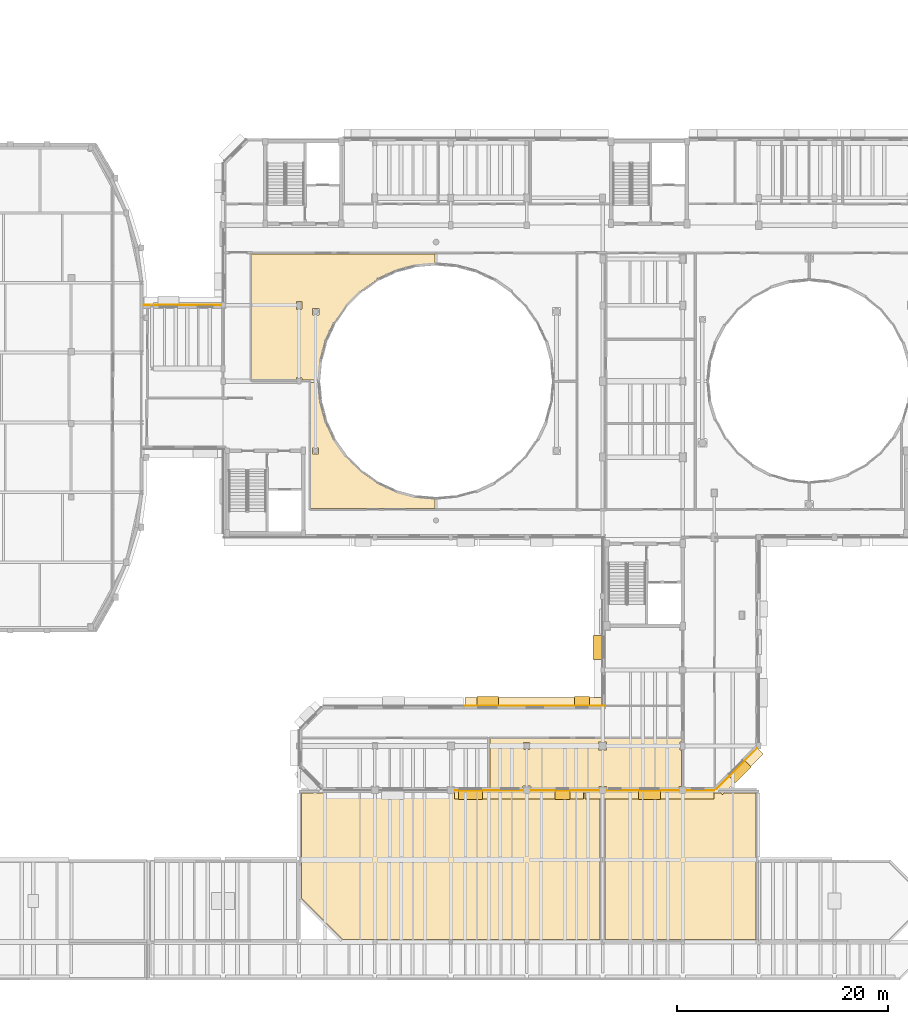
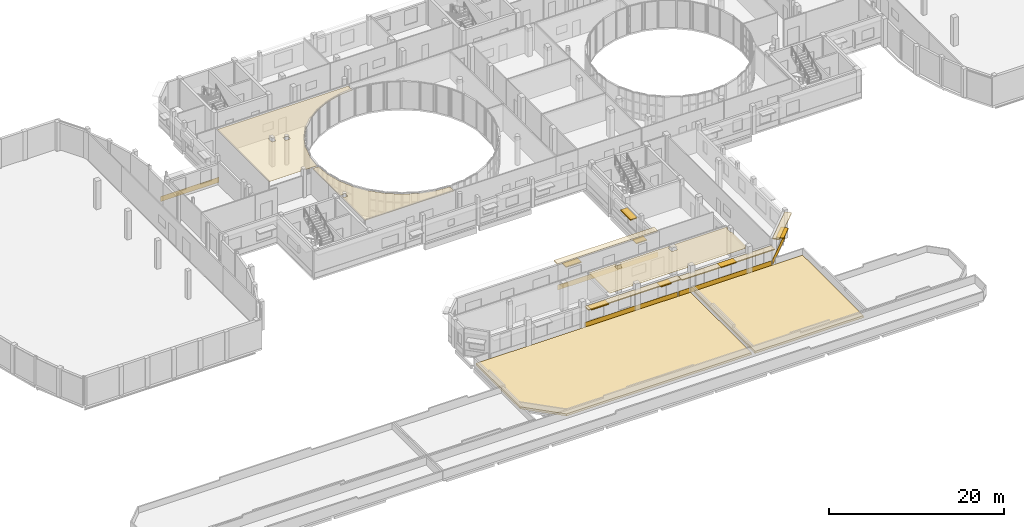
# One storey, part 92 of 105: 14 coverings, 7 shading devices.
"""IFC4 building model written with IfcOpenShell, lengths in metres."""

from ifc_helpers import new_model, si_unit, direction, frame, origin, origin_2d, place, context, subcontext, project, spatial, polyline, rectangle, outline, extrude, material, layer, layer_set, type_object, element, save


model = new_model("IFC4")

# Units and contexts
model_context = context("Model", 3, precision=1e-05, world=origin(), true_north=direction((0.0, 1.0)))
body_context = subcontext(model_context, "Body", "Model", "MODEL_VIEW")
ifc_project = project(units=[si_unit("LENGTHUNIT", "METRE"), si_unit("AREAUNIT", "SQUARE_METRE"), si_unit("VOLUMEUNIT", "CUBIC_METRE"), si_unit("PLANEANGLEUNIT", "RADIAN"), si_unit("MASSUNIT", "GRAM", prefix="KILO")], contexts=[model_context])

# Site, building, storey
site_placement = place(None, origin())
site = spatial("IfcSite", under=ifc_project, at=site_placement, CompositionType="ELEMENT")
building_placement = place(site_placement, origin())
building = spatial("IfcBuilding", under=site, at=building_placement, Name="Kelanivale Promenade Academy", CompositionType="ELEMENT")
storey_placement = place(building_placement, frame((0.0, 0.0, 4.199951171875)))
storey = spatial("IfcBuildingStorey", under=building, at=storey_placement, Name="L01", CompositionType="ELEMENT", Elevation=4.199951171875)

# Coverings
ifc_material_1 = material(Name="Warm ivory Art Deco stucco frieze band 40 mm", Category="masonry")
ifc_layer_1 = layer(ifc_material_1, 0.0400390625)
ifc_layer_set_1 = layer_set([ifc_layer_1], Name="Warm ivory Art Deco stucco frieze band 40 mm")
covering_type_1 = type_object("IfcCoveringType", Name="COV-CLD2 Warm ivory Art Deco stucco frieze ba", PredefinedType="CLADDING", material=ifc_layer_set_1)
covering_1_placement = place(storey_placement, frame((71.248046875, 17.60009765625, 2.89990234375), z_axis=(0.0, 0.0, 1.0), x_axis=(1.0, 0.0, 0.0)))
element("IfcCovering", 1, at=covering_1_placement, inside=storey, type_object=covering_type_1, Name="Art Deco projecting 820 mm streamline sunshade eyebrow ledge", PredefinedType="CLADDING", context=body_context, shape_type="SweptSolid", body=[
    extrude(rectangle(XDim=12.243896484375, YDim=0.820068359375, at=origin_2d()), origin(), (0.0, 0.0, 1.0), 0.139892578125),
])
covering_2_placement = place(storey_placement, frame((71.248046875, 17.985107421875, 0.06005859375), z_axis=(0.0, 0.0, 1.0), x_axis=(1.0, 0.0, 0.0)))
element("IfcCovering", 2, at=covering_2_placement, inside=storey, type_object=covering_type_1, Name="Art Deco ivory stucco sill frieze band", PredefinedType="CLADDING", context=body_context, shape_type="SweptSolid", body=[
    extrude(rectangle(XDim=12.243896484375, YDim=0.0400390625, at=origin_2d()), origin(), (0.0, 0.0, 1.0), 0.719970703125),
])
covering_3_placement = place(storey_placement, frame((83.652099609375, 17.60009765625, 2.75), z_axis=(0.0, 0.0, 1.0), x_axis=(1.0, 0.0, 0.0)))
element("IfcCovering", 3, at=covering_3_placement, inside=storey, type_object=covering_type_1, Name="Art Deco projecting 820 mm streamline sunshade eyebrow ledge", PredefinedType="CLADDING", context=body_context, shape_type="SweptSolid", body=[
    extrude(rectangle(XDim=12.243896484375, YDim=0.820068359375, at=origin_2d()), origin(), (0.0, 0.0, 1.0), 0.139892578125),
])
covering_4_placement = place(storey_placement, frame((83.652099609375, 17.985107421875, 0.06005859375), z_axis=(0.0, 0.0, 1.0), x_axis=(1.0, 0.0, 0.0)))
element("IfcCovering", 4, at=covering_4_placement, inside=storey, type_object=covering_type_1, Name="Art Deco ivory stucco sill frieze band", PredefinedType="CLADDING", context=body_context, shape_type="SweptSolid", body=[
    extrude(rectangle(XDim=12.243896484375, YDim=0.0400390625, at=origin_2d()), origin(), (0.0, 0.0, 1.0), 0.719970703125),
])
covering_5_placement = place(storey_placement, frame((92.2109375, 19.7890625, 3.6201171875), z_axis=(0.0, 0.0, 1.0), x_axis=(0.707106781187, 0.707106781187, 0.0)))
element("IfcCovering", 5, at=covering_5_placement, inside=storey, type_object=covering_type_1, Name="Art Deco projecting 820 mm streamline sunshade eyebrow ledge", PredefinedType="CLADDING", context=body_context, shape_type="SweptSolid", body=[
    extrude(rectangle(XDim=5.4599609375, YDim=0.820068359375, at=origin_2d()), origin(), (0.0, 0.0, 1.0), 0.139892578125),
])
covering_6_placement = place(storey_placement, frame((91.93896484375, 20.06103515625, 0.06005859375), z_axis=(0.0, 0.0, 1.0), x_axis=(0.707106781187, 0.707106781187, 0.0)))
element("IfcCovering", 6, at=covering_6_placement, inside=storey, type_object=covering_type_1, Name="Art Deco ivory stucco sill frieze band", PredefinedType="CLADDING", context=body_context, shape_type="SweptSolid", body=[
    extrude(rectangle(XDim=5.4599609375, YDim=0.0400390625, at=origin_2d()), origin(), (0.0, 0.0, 1.0), 0.719970703125),
])
covering_7_placement = place(storey_placement, frame((39.5400390625, 64.014892578125, 0.06005859375), z_axis=(0.0, 0.0, 1.0), x_axis=(-1.0, 0.0, 0.0)))
element("IfcCovering", 7, at=covering_7_placement, inside=storey, type_object=covering_type_1, Name="Art Deco ivory stucco sill frieze band", PredefinedType="CLADDING", context=body_context, shape_type="SweptSolid", body=[
    extrude(rectangle(XDim=7.719970703125, YDim=0.0400390625, at=origin_2d()), origin(), (0.0, 0.0, 1.0), 0.719970703125),
])
covering_8_placement = place(storey_placement, frame((72.77001953125, 26.39990234375, 3.6201171875), z_axis=(0.0, 0.0, 1.0), x_axis=(-1.0, 0.0, 0.0)))
element("IfcCovering", 8, at=covering_8_placement, inside=storey, type_object=covering_type_1, Name="Art Deco projecting 820 mm streamline sunshade eyebrow ledge", PredefinedType="CLADDING", context=body_context, shape_type="SweptSolid", body=[
    extrude(rectangle(XDim=13.259033203125, YDim=0.820068359375, at=origin_2d()), origin(), (0.0, 0.0, 1.0), 0.139892578125),
])
covering_9_placement = place(storey_placement, frame((72.77001953125, 26.014892578125, 0.06005859375), z_axis=(0.0, 0.0, 1.0), x_axis=(-1.0, 0.0, 0.0)))
element("IfcCovering", 9, at=covering_9_placement, inside=storey, type_object=covering_type_1, Name="Art Deco ivory stucco sill frieze band", PredefinedType="CLADDING", context=body_context, shape_type="SweptSolid", body=[
    extrude(rectangle(XDim=13.259033203125, YDim=0.0400390625, at=origin_2d()), origin(), (0.0, 0.0, 1.0), 0.719970703125),
])
ifc_material_2 = material(Name="Acoustic mineral-fibre ceiling tile 25 mm", Category="gypsum")
ifc_layer_2 = layer(ifc_material_2, 0.02490234375)
ifc_layer_set_2 = layer_set([ifc_layer_2], Name="Acoustic mineral-fibre ceiling tile 25 mm")
covering_type_2 = type_object("IfcCoveringType", Name="COV-CLG1 Acoustic mineral-fibre ceiling tile ", PredefinedType="CEILING", material=ifc_layer_set_2)
covering_10_placement = place(storey_placement, frame((0.0, 0.0, 3.550048828125)))
element("IfcCovering", 10, at=covering_10_placement, inside=storey, type_object=covering_type_2, Name="Sixth Form Refectory acoustic suspended ceiling", PredefinedType="CEILING", context=body_context, shape_type="SweptSolid", body=[
    extrude(outline(polyline([(68.510009765625, 18.14990234375), (71.614990234375, 18.14990234375), (71.614990234375, 18.344970703125), (71.614990234375, 18.34912109375), (71.615966796875, 18.35302734375), (71.616943359375, 18.35693359375), (71.617919921875, 18.360107421875), (71.6201171875, 18.364013671875), (71.6220703125, 18.366943359375), (71.6240234375, 18.3701171875), (71.626953125, 18.373046875), (71.6298828125, 18.3759765625), (71.633056640625, 18.3779296875), (71.635986328125, 18.3798828125), (71.639892578125, 18.382080078125), (71.64306640625, 18.383056640625), (71.64697265625, 18.384033203125), (71.65087890625, 18.385009765625), (71.655029296875, 18.385009765625), (72.344970703125, 18.385009765625), (72.34912109375, 18.385009765625), (72.35302734375, 18.384033203125), (72.35693359375, 18.383056640625), (72.360107421875, 18.382080078125), (72.364013671875, 18.3798828125), (72.366943359375, 18.3779296875), (72.3701171875, 18.3759765625), (72.373046875, 18.373046875), (72.3759765625, 18.3701171875), (72.3779296875, 18.366943359375), (72.3798828125, 18.364013671875), (72.382080078125, 18.360107421875), (72.383056640625, 18.35693359375), (72.384033203125, 18.35302734375), (72.385009765625, 18.34912109375), (72.385009765625, 18.344970703125), (72.385009765625, 18.14990234375), (78.840087890625, 18.14990234375), (78.840087890625, 18.320068359375), (78.840087890625, 18.323974609375), (78.841064453125, 18.327880859375), (78.842041015625, 18.33203125), (78.843017578125, 18.3349609375), (78.844970703125, 18.339111328125), (78.846923828125, 18.342041015625), (78.84912109375, 18.344970703125), (78.85205078125, 18.347900390625), (78.85498046875, 18.35107421875), (78.85791015625, 18.35302734375), (78.861083984375, 18.35498046875), (78.864990234375, 18.35693359375), (78.867919921875, 18.35791015625), (78.8720703125, 18.35888671875), (78.8759765625, 18.360107421875), (78.8798828125, 18.360107421875), (79.52001953125, 18.360107421875), (79.52392578125, 18.360107421875), (79.528076171875, 18.35888671875), (79.531982421875, 18.35791015625), (79.534912109375, 18.35693359375), (79.5390625, 18.35498046875), (79.5419921875, 18.35302734375), (79.544921875, 18.35107421875), (79.548095703125, 18.347900390625), (79.551025390625, 18.344970703125), (79.552978515625, 18.342041015625), (79.554931640625, 18.339111328125), (79.556884765625, 18.3349609375), (79.55810546875, 18.33203125), (79.55908203125, 18.327880859375), (79.56005859375, 18.323974609375), (79.56005859375, 18.320068359375), (79.56005859375, 18.14990234375), (86.43994140625, 18.14990234375), (86.43994140625, 18.320068359375), (86.43994140625, 18.323974609375), (86.44091796875, 18.327880859375), (86.44189453125, 18.33203125), (86.443115234375, 18.3349609375), (86.445068359375, 18.339111328125), (86.447021484375, 18.342041015625), (86.448974609375, 18.344970703125), (86.451904296875, 18.347900390625), (86.455078125, 18.35107421875), (86.4580078125, 18.35302734375), (86.4609375, 18.35498046875), (86.465087890625, 18.35693359375), (86.468017578125, 18.35791015625), (86.471923828125, 18.35888671875), (86.47607421875, 18.360107421875), (86.47998046875, 18.360107421875), (86.68994140625, 18.360107421875), (86.68994140625, 21.81494140625), (86.580078125, 21.81494140625), (86.575927734375, 21.81494140625), (86.572021484375, 21.81591796875), (86.568115234375, 21.81689453125), (86.56494140625, 21.818115234375), (86.56103515625, 21.820068359375), (86.55810546875, 21.822021484375), (86.554931640625, 21.823974609375), (86.552001953125, 21.826904296875), (86.549072265625, 21.830078125), (86.547119140625, 21.8330078125), (86.544921875, 21.8359375), (86.54296875, 21.840087890625), (86.5419921875, 21.843017578125), (86.541015625, 21.846923828125), (86.5400390625, 21.85107421875), (86.5400390625, 21.85498046875), (86.5400390625, 22.544921875), (86.5400390625, 22.549072265625), (86.541015625, 22.552978515625), (86.5419921875, 22.556884765625), (86.54296875, 22.56005859375), (86.544921875, 22.56396484375), (86.547119140625, 22.56689453125), (86.549072265625, 22.570068359375), (86.552001953125, 22.572998046875), (86.554931640625, 22.575927734375), (86.55810546875, 22.577880859375), (86.56103515625, 22.580078125), (86.56494140625, 22.58203125), (86.568115234375, 22.5830078125), (86.572021484375, 22.583984375), (86.575927734375, 22.5849609375), (86.580078125, 22.5849609375), (86.68994140625, 22.5849609375), (86.68994140625, 22.889892578125), (68.510009765625, 22.889892578125), (68.510009765625, 18.14990234375)]), holes=[polyline([(79.5849609375, 21.85498046875), (79.5849609375, 21.85107421875), (79.583984375, 21.846923828125), (79.5830078125, 21.843017578125), (79.58203125, 21.840087890625), (79.580078125, 21.8359375), (79.577880859375, 21.8330078125), (79.575927734375, 21.830078125), (79.572998046875, 21.826904296875), (79.570068359375, 21.823974609375), (79.56689453125, 21.822021484375), (79.56396484375, 21.820068359375), (79.56005859375, 21.818115234375), (79.556884765625, 21.81689453125), (79.552978515625, 21.81591796875), (79.549072265625, 21.81494140625), (79.544921875, 21.81494140625), (78.85498046875, 21.81494140625), (78.85107421875, 21.81494140625), (78.846923828125, 21.81591796875), (78.843017578125, 21.81689453125), (78.840087890625, 21.818115234375), (78.8359375, 21.820068359375), (78.8330078125, 21.822021484375), (78.830078125, 21.823974609375), (78.826904296875, 21.826904296875), (78.823974609375, 21.830078125), (78.822021484375, 21.8330078125), (78.820068359375, 21.8359375), (78.818115234375, 21.840087890625), (78.81689453125, 21.843017578125), (78.81591796875, 21.846923828125), (78.81494140625, 21.85107421875), (78.81494140625, 21.85498046875), (78.81494140625, 22.544921875), (78.81494140625, 22.549072265625), (78.81591796875, 22.552978515625), (78.81689453125, 22.556884765625), (78.818115234375, 22.56005859375), (78.820068359375, 22.56396484375), (78.822021484375, 22.56689453125), (78.823974609375, 22.570068359375), (78.826904296875, 22.572998046875), (78.830078125, 22.575927734375), (78.8330078125, 22.577880859375), (78.8359375, 22.580078125), (78.840087890625, 22.58203125), (78.843017578125, 22.5830078125), (78.846923828125, 22.583984375), (78.85107421875, 22.5849609375), (78.85498046875, 22.5849609375), (79.544921875, 22.5849609375), (79.549072265625, 22.5849609375), (79.552978515625, 22.583984375), (79.556884765625, 22.5830078125), (79.56005859375, 22.58203125), (79.56396484375, 22.580078125), (79.56689453125, 22.577880859375), (79.570068359375, 22.575927734375), (79.572998046875, 22.572998046875), (79.575927734375, 22.570068359375), (79.577880859375, 22.56689453125), (79.580078125, 22.56396484375), (79.58203125, 22.56005859375), (79.5830078125, 22.556884765625), (79.583984375, 22.552978515625), (79.5849609375, 22.549072265625), (79.5849609375, 22.544921875), (79.5849609375, 21.85498046875)]), polyline([(72.31005859375, 21.929931640625), (72.31005859375, 21.926025390625), (72.30908203125, 21.922119140625), (72.30810546875, 21.91796875), (72.306884765625, 21.9150390625), (72.304931640625, 21.910888671875), (72.302978515625, 21.907958984375), (72.301025390625, 21.905029296875), (72.298095703125, 21.902099609375), (72.294921875, 21.89892578125), (72.2919921875, 21.89697265625), (72.2890625, 21.89501953125), (72.284912109375, 21.89306640625), (72.281982421875, 21.89208984375), (72.278076171875, 21.89111328125), (72.27392578125, 21.889892578125), (72.27001953125, 21.889892578125), (71.72998046875, 21.889892578125), (71.72607421875, 21.889892578125), (71.721923828125, 21.89111328125), (71.718017578125, 21.89208984375), (71.715087890625, 21.89306640625), (71.7109375, 21.89501953125), (71.7080078125, 21.89697265625), (71.705078125, 21.89892578125), (71.701904296875, 21.902099609375), (71.698974609375, 21.905029296875), (71.697021484375, 21.907958984375), (71.695068359375, 21.910888671875), (71.693115234375, 21.9150390625), (71.69189453125, 21.91796875), (71.69091796875, 21.922119140625), (71.68994140625, 21.926025390625), (71.68994140625, 21.929931640625), (71.68994140625, 22.469970703125), (71.68994140625, 22.47412109375), (71.69091796875, 22.47802734375), (71.69189453125, 22.48193359375), (71.693115234375, 22.485107421875), (71.695068359375, 22.489013671875), (71.697021484375, 22.491943359375), (71.698974609375, 22.4951171875), (71.701904296875, 22.498046875), (71.705078125, 22.5009765625), (71.7080078125, 22.5029296875), (71.7109375, 22.5048828125), (71.715087890625, 22.507080078125), (71.718017578125, 22.508056640625), (71.721923828125, 22.509033203125), (71.72607421875, 22.510009765625), (71.72998046875, 22.510009765625), (72.27001953125, 22.510009765625), (72.27392578125, 22.510009765625), (72.278076171875, 22.509033203125), (72.281982421875, 22.508056640625), (72.284912109375, 22.507080078125), (72.2890625, 22.5048828125), (72.2919921875, 22.5029296875), (72.294921875, 22.5009765625), (72.298095703125, 22.498046875), (72.301025390625, 22.4951171875), (72.302978515625, 22.491943359375), (72.304931640625, 22.489013671875), (72.306884765625, 22.485107421875), (72.30810546875, 22.48193359375), (72.30908203125, 22.47802734375), (72.31005859375, 22.47412109375), (72.31005859375, 22.469970703125), (72.31005859375, 21.929931640625)])]), origin(), (0.0, 0.0, 1.0), 0.02490234375),
])
covering_11_placement = place(storey_placement, frame((0.0, 0.0, 3.550048828125)))
element("IfcCovering", 11, at=covering_11_placement, inside=storey, type_object=covering_type_2, Name="Junior Classroom West A acoustic suspended ceiling", PredefinedType="CEILING", context=body_context, shape_type="SweptSolid", body=[
    extrude(outline(polyline([(56.24609375, 48.248046875), (56.239013671875, 48.25390625), (56.23095703125, 48.260986328125), (56.222900390625, 48.26806640625), (56.218994140625, 48.27099609375), (54.87109375, 49.618896484375), (54.867919921875, 49.623046875), (54.861083984375, 49.631103515625), (54.85400390625, 49.638916015625), (54.847900390625, 49.64599609375), (53.7529296875, 51.2099609375), (53.7490234375, 51.217041015625), (53.739013671875, 51.235107421875), (53.737060546875, 51.239990234375), (52.928955078125, 52.969970703125), (52.927001953125, 52.97412109375), (52.923095703125, 52.98388671875), (52.919921875, 52.990966796875), (52.9169921875, 53.0009765625), (52.9169921875, 53.0029296875), (52.424072265625, 54.845947265625), (52.4208984375, 54.85498046875), (52.419921875, 54.862060546875), (52.41796875, 54.8701171875), (52.4169921875, 54.8798828125), (52.4169921875, 54.881103515625), (52.259033203125, 56.68994140625), (51.510009765625, 56.68994140625), (51.510009765625, 44.7099609375), (63.2900390625, 44.7099609375), (63.2900390625, 45.658935546875), (61.48095703125, 45.81689453125), (61.47998046875, 45.81689453125), (61.469970703125, 45.818115234375), (61.4619140625, 45.820068359375), (61.455078125, 45.821044921875), (61.446044921875, 45.823974609375), (59.60302734375, 46.31689453125), (59.60107421875, 46.31689453125), (59.591064453125, 46.320068359375), (59.583984375, 46.322998046875), (59.573974609375, 46.326904296875), (59.570068359375, 46.3291015625), (57.840087890625, 47.136962890625), (57.8349609375, 47.138916015625), (57.825927734375, 47.14404296875), (57.81689453125, 47.14892578125), (57.81005859375, 47.153076171875), (56.24609375, 48.248046875)]), holes=[polyline([(52.2529296875, 49.955078125), (52.2529296875, 49.950927734375), (52.251953125, 49.947021484375), (52.2509765625, 49.943115234375), (52.25, 49.93994140625), (52.248046875, 49.93603515625), (52.24609375, 49.93310546875), (52.243896484375, 49.929931640625), (52.240966796875, 49.927001953125), (52.238037109375, 49.924072265625), (52.235107421875, 49.922119140625), (52.23193359375, 49.919921875), (52.22802734375, 49.91796875), (52.22509765625, 49.9169921875), (52.220947265625, 49.916015625), (52.217041015625, 49.9150390625), (52.212890625, 49.9150390625), (51.722900390625, 49.9150390625), (51.718994140625, 49.9150390625), (51.715087890625, 49.916015625), (51.7109375, 49.9169921875), (51.7080078125, 49.91796875), (51.7041015625, 49.919921875), (51.700927734375, 49.922119140625), (51.697998046875, 49.924072265625), (51.695068359375, 49.927001953125), (51.69189453125, 49.929931640625), (51.68994140625, 49.93310546875), (51.68798828125, 49.93603515625), (51.68603515625, 49.93994140625), (51.68505859375, 49.943115234375), (51.68408203125, 49.947021484375), (51.68310546875, 49.950927734375), (51.68310546875, 49.955078125), (51.68310546875, 50.445068359375), (51.68310546875, 50.448974609375), (51.68408203125, 50.452880859375), (51.68505859375, 50.45703125), (51.68603515625, 50.4599609375), (51.68798828125, 50.464111328125), (51.68994140625, 50.467041015625), (51.69189453125, 50.469970703125), (51.695068359375, 50.472900390625), (51.697998046875, 50.47607421875), (51.700927734375, 50.47802734375), (51.7041015625, 50.47998046875), (51.7080078125, 50.48193359375), (51.7109375, 50.48291015625), (51.715087890625, 50.48388671875), (51.718994140625, 50.485107421875), (51.722900390625, 50.485107421875), (52.212890625, 50.485107421875), (52.217041015625, 50.485107421875), (52.220947265625, 50.48388671875), (52.22509765625, 50.48291015625), (52.22802734375, 50.48193359375), (52.23193359375, 50.47998046875), (52.235107421875, 50.47802734375), (52.238037109375, 50.47607421875), (52.240966796875, 50.472900390625), (52.243896484375, 50.469970703125), (52.24609375, 50.467041015625), (52.248046875, 50.464111328125), (52.25, 50.4599609375), (52.2509765625, 50.45703125), (52.251953125, 50.452880859375), (52.2529296875, 50.448974609375), (52.2529296875, 50.445068359375), (52.2529296875, 49.955078125)])]), origin(), (0.0, 0.0, 1.0), 0.02490234375),
])
covering_12_placement = place(storey_placement, frame((0.0, 0.0, 3.550048828125)))
element("IfcCovering", 12, at=covering_12_placement, inside=storey, type_object=covering_type_2, Name="Junior Classroom West B acoustic suspended ceiling", PredefinedType="CEILING", context=body_context, shape_type="SweptSolid", body=[
    extrude(outline(polyline([(53.7490234375, 62.383056640625), (53.7529296875, 62.389892578125), (54.847900390625, 63.9541015625), (54.85400390625, 63.9609375), (54.861083984375, 63.968994140625), (54.867919921875, 63.97705078125), (54.87109375, 63.98095703125), (56.218994140625, 65.3291015625), (56.222900390625, 65.33203125), (56.23095703125, 65.339111328125), (56.239013671875, 65.345947265625), (56.24609375, 65.35205078125), (57.81005859375, 66.447021484375), (57.81689453125, 66.450927734375), (57.825927734375, 66.4560546875), (57.8349609375, 66.4609375), (57.840087890625, 66.462890625), (59.570068359375, 67.27099609375), (59.573974609375, 67.27294921875), (59.583984375, 67.277099609375), (59.591064453125, 67.280029296875), (59.60107421875, 67.282958984375), (59.60302734375, 67.282958984375), (61.446044921875, 67.77587890625), (61.455078125, 67.779052734375), (61.4619140625, 67.780029296875), (61.469970703125, 67.781982421875), (61.47998046875, 67.782958984375), (61.48095703125, 67.782958984375), (63.2900390625, 67.94091796875), (63.2900390625, 68.889892578125), (45.909912109375, 68.889892578125), (45.909912109375, 56.909912109375), (50.139892578125, 56.909912109375), (50.139892578125, 57.094970703125), (50.139892578125, 57.09912109375), (50.14111328125, 57.10302734375), (50.14208984375, 57.10693359375), (50.14306640625, 57.110107421875), (50.14501953125, 57.114013671875), (50.14697265625, 57.116943359375), (50.14892578125, 57.1201171875), (50.152099609375, 57.123046875), (50.155029296875, 57.1259765625), (50.157958984375, 57.1279296875), (50.160888671875, 57.1298828125), (50.1650390625, 57.132080078125), (50.16796875, 57.133056640625), (50.172119140625, 57.134033203125), (50.176025390625, 57.135009765625), (50.179931640625, 57.135009765625), (50.6201171875, 57.135009765625), (50.6240234375, 57.135009765625), (50.6279296875, 57.134033203125), (50.632080078125, 57.133056640625), (50.635009765625, 57.132080078125), (50.638916015625, 57.1298828125), (50.64208984375, 57.1279296875), (50.64501953125, 57.1259765625), (50.64794921875, 57.123046875), (50.65087890625, 57.1201171875), (50.653076171875, 57.116943359375), (50.655029296875, 57.114013671875), (50.656982421875, 57.110107421875), (50.657958984375, 57.10693359375), (50.658935546875, 57.10302734375), (50.659912109375, 57.09912109375), (50.659912109375, 57.094970703125), (50.659912109375, 56.909912109375), (52.259033203125, 56.909912109375), (52.4169921875, 58.718994140625), (52.4169921875, 58.719970703125), (52.41796875, 58.72998046875), (52.419921875, 58.738037109375), (52.4208984375, 58.7451171875), (52.424072265625, 58.75390625), (52.9169921875, 60.596923828125), (52.9169921875, 60.59912109375), (52.919921875, 60.60888671875), (52.923095703125, 60.615966796875), (52.927001953125, 60.6259765625), (52.928955078125, 60.6298828125), (53.737060546875, 62.360107421875), (53.739013671875, 62.364990234375), (53.7490234375, 62.383056640625)]), holes=[polyline([(52.278076171875, 63.1298828125), (52.278076171875, 63.1259765625), (52.277099609375, 63.1220703125), (52.27587890625, 63.117919921875), (52.27490234375, 63.114990234375), (52.27294921875, 63.111083984375), (52.27099609375, 63.10791015625), (52.26904296875, 63.10498046875), (52.26611328125, 63.10205078125), (52.262939453125, 63.09912109375), (52.260009765625, 63.096923828125), (52.257080078125, 63.094970703125), (52.2529296875, 63.093017578125), (52.25, 63.092041015625), (52.24609375, 63.091064453125), (52.241943359375, 63.090087890625), (52.238037109375, 63.090087890625), (51.697998046875, 63.090087890625), (51.694091796875, 63.090087890625), (51.68994140625, 63.091064453125), (51.68603515625, 63.092041015625), (51.68310546875, 63.093017578125), (51.678955078125, 63.094970703125), (51.676025390625, 63.096923828125), (51.673095703125, 63.09912109375), (51.669921875, 63.10205078125), (51.6669921875, 63.10498046875), (51.6650390625, 63.10791015625), (51.6630859375, 63.111083984375), (51.660888671875, 63.114990234375), (51.659912109375, 63.117919921875), (51.658935546875, 63.1220703125), (51.657958984375, 63.1259765625), (51.657958984375, 63.1298828125), (51.657958984375, 63.669921875), (51.657958984375, 63.674072265625), (51.658935546875, 63.677978515625), (51.659912109375, 63.681884765625), (51.660888671875, 63.68505859375), (51.6630859375, 63.68896484375), (51.6650390625, 63.69189453125), (51.6669921875, 63.695068359375), (51.669921875, 63.697998046875), (51.673095703125, 63.700927734375), (51.676025390625, 63.702880859375), (51.678955078125, 63.705078125), (51.68310546875, 63.70703125), (51.68603515625, 63.7080078125), (51.68994140625, 63.708984375), (51.694091796875, 63.7099609375), (51.697998046875, 63.7099609375), (52.238037109375, 63.7099609375), (52.241943359375, 63.7099609375), (52.24609375, 63.708984375), (52.25, 63.7080078125), (52.2529296875, 63.70703125), (52.257080078125, 63.705078125), (52.260009765625, 63.702880859375), (52.262939453125, 63.700927734375), (52.26611328125, 63.697998046875), (52.26904296875, 63.695068359375), (52.27099609375, 63.69189453125), (52.27294921875, 63.68896484375), (52.27490234375, 63.68505859375), (52.27587890625, 63.681884765625), (52.277099609375, 63.677978515625), (52.278076171875, 63.674072265625), (52.278076171875, 63.669921875), (52.278076171875, 63.1298828125)]), polyline([(50.659912109375, 63.655029296875), (50.659912109375, 63.65087890625), (50.658935546875, 63.64697265625), (50.657958984375, 63.64306640625), (50.656982421875, 63.639892578125), (50.655029296875, 63.635986328125), (50.653076171875, 63.633056640625), (50.65087890625, 63.6298828125), (50.64794921875, 63.626953125), (50.64501953125, 63.6240234375), (50.64208984375, 63.6220703125), (50.638916015625, 63.6201171875), (50.635009765625, 63.617919921875), (50.632080078125, 63.616943359375), (50.6279296875, 63.615966796875), (50.6240234375, 63.614990234375), (50.6201171875, 63.614990234375), (50.179931640625, 63.614990234375), (50.176025390625, 63.614990234375), (50.172119140625, 63.615966796875), (50.16796875, 63.616943359375), (50.1650390625, 63.617919921875), (50.160888671875, 63.6201171875), (50.157958984375, 63.6220703125), (50.155029296875, 63.6240234375), (50.152099609375, 63.626953125), (50.14892578125, 63.6298828125), (50.14697265625, 63.633056640625), (50.14501953125, 63.635986328125), (50.14306640625, 63.639892578125), (50.14208984375, 63.64306640625), (50.14111328125, 63.64697265625), (50.139892578125, 63.65087890625), (50.139892578125, 63.655029296875), (50.139892578125, 64.344970703125), (50.139892578125, 64.34912109375), (50.14111328125, 64.35302734375), (50.14208984375, 64.35693359375), (50.14306640625, 64.360107421875), (50.14501953125, 64.364013671875), (50.14697265625, 64.366943359375), (50.14892578125, 64.3701171875), (50.152099609375, 64.373046875), (50.155029296875, 64.3759765625), (50.157958984375, 64.3779296875), (50.160888671875, 64.3798828125), (50.1650390625, 64.382080078125), (50.16796875, 64.383056640625), (50.172119140625, 64.384033203125), (50.176025390625, 64.385009765625), (50.179931640625, 64.385009765625), (50.6201171875, 64.385009765625), (50.6240234375, 64.385009765625), (50.6279296875, 64.384033203125), (50.632080078125, 64.383056640625), (50.635009765625, 64.382080078125), (50.638916015625, 64.3798828125), (50.64208984375, 64.3779296875), (50.64501953125, 64.3759765625), (50.64794921875, 64.373046875), (50.65087890625, 64.3701171875), (50.653076171875, 64.366943359375), (50.655029296875, 64.364013671875), (50.656982421875, 64.360107421875), (50.657958984375, 64.35693359375), (50.658935546875, 64.35302734375), (50.659912109375, 64.34912109375), (50.659912109375, 64.344970703125), (50.659912109375, 63.655029296875)])]), origin(), (0.0, 0.0, 1.0), 0.02490234375),
])
ifc_material_3 = material(Name="Extensive tropical planted green-roof substrate 300 mm", Category="masonry")
ifc_layer_3 = layer(ifc_material_3, 0.300048828125)
ifc_layer_set_3 = layer_set([ifc_layer_3], Name="Extensive tropical planted green-roof substrate 300 mm")
covering_type_3 = type_object("IfcCoveringType", Name="COV-RFG2 Extensive tropical planted green-roo", PredefinedType="ROOFING", material=ifc_layer_set_3)
covering_13_placement = place(storey_placement, origin())
element("IfcCovering", 13, at=covering_13_placement, inside=storey, type_object=covering_type_3, Name="L01 planted green-roof substrate", PredefinedType="ROOFING", context=body_context, shape_type="SweptSolid", body=[
    extrude(outline(polyline([(50.639892578125, 7.73095703125), (54.531005859375, 3.840087890625), (78.9599609375, 3.840087890625), (78.9599609375, 17.760009765625), (50.639892578125, 17.760009765625), (50.639892578125, 7.73095703125)])), origin(), (0.0, 0.0, 1.0), 0.300048828125),
])
covering_14_placement = place(storey_placement, origin())
element("IfcCovering", 14, at=covering_14_placement, inside=storey, type_object=covering_type_3, Name="L01 planted green-roof substrate", PredefinedType="ROOFING", context=body_context, shape_type="SweptSolid", body=[
    extrude(outline(polyline([(79.43994140625, 17.760009765625), (79.43994140625, 3.840087890625), (93.760009765625, 3.840087890625), (93.760009765625, 17.760009765625), (79.43994140625, 17.760009765625)])), origin(), (0.0, 0.0, 1.0), 0.300048828125),
])

# Shading devices
ifc_material_4 = material(Name="Precast concrete C40/50", Category="concrete")
ifc_layer_4 = layer(ifc_material_4, 0.1201171875)
ifc_layer_set_4 = layer_set([ifc_layer_4], Name="Precast concrete C40/50")
shading_device_type = type_object("IfcShadingDeviceType", Name="SHD-01 Art Deco Sunshade Eyebrow 900mm", PredefinedType="USERDEFINED", material=ifc_layer_set_4)
shading_device_1_placement = place(storey_placement, frame((66.6630859375, 17.56005859375, 2.860107421875), z_axis=(0.0, 0.0, 1.0), x_axis=(1.0, 0.0, 0.0)))
element("IfcShadingDevice", 15, at=shading_device_1_placement, inside=storey, type_object=shading_device_type, Name="Art Deco 900 mm precast chajja window sunshade", ObjectType="SUNSHADE", PredefinedType="USERDEFINED", context=body_context, shape_type="SweptSolid", body=[
    extrude(rectangle(XDim=2.300048828125, YDim=0.89990234375, at=origin_2d()), origin(), (0.0, 0.0, 1.0), 0.1201171875),
])
shading_device_2_placement = place(storey_placement, frame((75.383056640625, 17.56005859375, 2.860107421875), z_axis=(0.0, 0.0, 1.0), x_axis=(1.0, 0.0, 0.0)))
element("IfcShadingDevice", 16, at=shading_device_2_placement, inside=storey, type_object=shading_device_type, Name="Art Deco 900 mm precast chajja window sunshade", ObjectType="SUNSHADE", PredefinedType="USERDEFINED", context=body_context, shape_type="SweptSolid", body=[
    extrude(rectangle(XDim=1.39990234375, YDim=0.89990234375, at=origin_2d()), origin(), (0.0, 0.0, 1.0), 0.1201171875),
])
shading_device_3_placement = place(storey_placement, frame((83.652099609375, 17.56005859375, 2.780029296875), z_axis=(0.0, 0.0, 1.0), x_axis=(1.0, 0.0, 0.0)))
element("IfcShadingDevice", 17, at=shading_device_3_placement, inside=storey, type_object=shading_device_type, Name="Art Deco 900 mm precast chajja window sunshade", ObjectType="SUNSHADE", PredefinedType="USERDEFINED", context=body_context, shape_type="SweptSolid", body=[
    extrude(rectangle(XDim=2.050048828125, YDim=0.89990234375, at=origin_2d()), origin(), (0.0, 0.0, 1.0), 0.1201171875),
])
shading_device_4_placement = place(storey_placement, frame((92.239013671875, 19.760986328125, 2.659912109375), z_axis=(0.0, 0.0, 1.0), x_axis=(0.707106781187, 0.707106781187, 0.0)))
element("IfcShadingDevice", 18, at=shading_device_4_placement, inside=storey, type_object=shading_device_type, Name="Art Deco 900 mm precast chajja window sunshade", ObjectType="SUNSHADE", PredefinedType="USERDEFINED", context=body_context, shape_type="SweptSolid", body=[
    extrude(rectangle(XDim=2.10009765625, YDim=0.89990234375, at=origin_2d()), origin(), (0.0, 0.0, 1.0), 0.1201171875),
])
shading_device_5_placement = place(storey_placement, frame((78.760009765625, 31.550048828125, 2.860107421875), z_axis=(0.0, 0.0, 1.0), x_axis=(0.0, -1.0, 0.0)))
element("IfcShadingDevice", 19, at=shading_device_5_placement, inside=storey, type_object=shading_device_type, Name="Art Deco 900 mm precast chajja window sunshade", ObjectType="SUNSHADE", PredefinedType="USERDEFINED", context=body_context, shape_type="SweptSolid", body=[
    extrude(rectangle(XDim=2.300048828125, YDim=0.89990234375, at=origin_2d()), origin(), (0.0, 0.0, 1.0), 0.1201171875),
])
shading_device_6_placement = place(storey_placement, frame((77.243896484375, 26.43994140625, 2.860107421875), z_axis=(0.0, 0.0, 1.0), x_axis=(-1.0, 0.0, 0.0)))
element("IfcShadingDevice", 20, at=shading_device_6_placement, inside=storey, type_object=shading_device_type, Name="Art Deco 900 mm precast chajja window sunshade", ObjectType="SUNSHADE", PredefinedType="USERDEFINED", context=body_context, shape_type="SweptSolid", body=[
    extrude(rectangle(XDim=1.39990234375, YDim=0.89990234375, at=origin_2d()), origin(), (0.0, 0.0, 1.0), 0.1201171875),
])
shading_device_7_placement = place(storey_placement, frame((68.298095703125, 26.43994140625, 2.81005859375), z_axis=(0.0, 0.0, 1.0), x_axis=(-1.0, 0.0, 0.0)))
element("IfcShadingDevice", 21, at=shading_device_7_placement, inside=storey, type_object=shading_device_type, Name="Art Deco 900 mm precast chajja window sunshade", ObjectType="SUNSHADE", PredefinedType="USERDEFINED", context=body_context, shape_type="SweptSolid", body=[
    extrude(rectangle(XDim=2.050048828125, YDim=0.89990234375, at=origin_2d()), origin(), (0.0, 0.0, 1.0), 0.1201171875),
])

save(model, "model.ifc")
